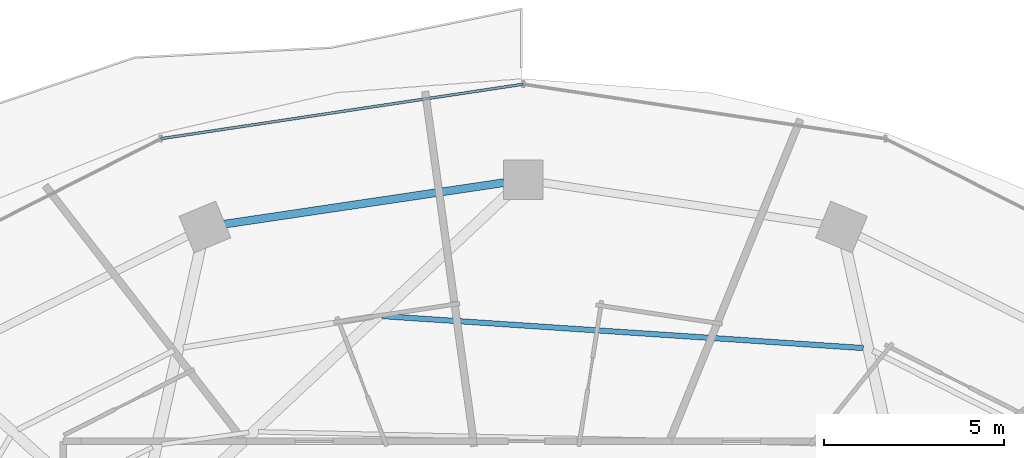
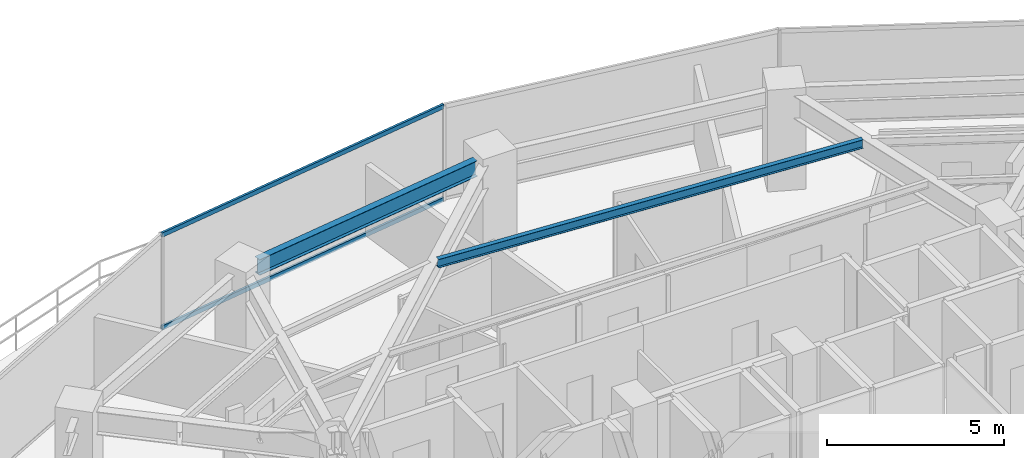
# One storey, part 17 of 30: 2 beams, 2 members, 1 element without a shape of its own.
"""IFC4 building model written with IfcOpenShell, lengths in metres."""

from ifc_helpers import new_model, si_unit, direction, frame, origin, origin_2d, place, context, subcontext, project, spatial, hollow_rectangle, i_section, extrude, material, material_profile, profile_set, type_object, element, aggregate, save


model = new_model("IFC4")

# Units and contexts
model_context = context("Model", 3, precision=1e-05, world=origin(), true_north=direction((0.0, 1.0)))
body_context = subcontext(model_context, "Body", "Model", "MODEL_VIEW")
ifc_project = project(units=[si_unit("LENGTHUNIT", "METRE"), si_unit("AREAUNIT", "SQUARE_METRE"), si_unit("VOLUMEUNIT", "CUBIC_METRE"), si_unit("PLANEANGLEUNIT", "RADIAN"), si_unit("MASSUNIT", "GRAM", prefix="KILO")], contexts=[model_context])

# Site, building, storey
site_placement = place(None, origin())
site = spatial("IfcSite", under=ifc_project, at=site_placement, CompositionType="ELEMENT")
building_placement = place(site_placement, origin())
building = spatial("IfcBuilding", under=site, at=building_placement, Name="Vorneva Point Tower", CompositionType="ELEMENT")
storey_placement = place(building_placement, frame((0.0, 0.0, 92.800048828125)))
storey = spatial("IfcBuildingStorey", under=building, at=storey_placement, Name="L24", CompositionType="ELEMENT", Elevation=92.800048828125)

# Beams
ifc_material_1 = material(Name="Steel S355", Category="steel")
ifc_material_profile_1 = material_profile(ifc_material_1, i_section(OverallWidth=0.14892578125, OverallDepth=0.298095703125, WebThickness=0.005615234375, FlangeThickness=0.008056640625, at=origin_2d()), Name="30B1")
ifc_profile_set_1 = profile_set([ifc_material_profile_1], Name="Steel S355")
beam_type_1 = type_object("IfcBeamType", Name="BM-JST-30B1", PredefinedType="JOIST", material=ifc_profile_set_1)
beam_1_placement = place(storey_placement, frame((47.425537109375, 38.53662109375, 3.091064453125), z_axis=(-0.997801151854, 0.066278664436, 0.0), x_axis=(-0.066278664436, -0.997801151854, 0.0)))
element("IfcBeam", 1, at=beam_1_placement, inside=storey, type_object=beam_type_1, Name="L24 Secondary Floor Beam 1.04", PredefinedType="JOIST", context=body_context, shape_type="SweptSolid", body=[
    extrude(i_section(OverallWidth=0.14892578125, OverallDepth=0.298095703125, WebThickness=0.005615234375, FlangeThickness=0.008056640625, at=origin_2d()), origin(), (0.0, 0.0, 1.0), 13.34912109375),
])
ifc_material_profile_2 = material_profile(ifc_material_1, i_section(OverallWidth=0.219970703125, OverallDepth=0.54296875, WebThickness=0.009521484375, FlangeThickness=0.013427734375, at=origin_2d()), Name="55B1")
ifc_profile_set_2 = profile_set([ifc_material_profile_2], Name="Steel S355")
beam_type_2 = type_object("IfcBeamType", Name="BM-SPN-55B1", PredefinedType="SPANDREL", material=ifc_profile_set_2)
beam_2_placement = place(storey_placement, frame((37.470703125, 43.121337890625, 2.968505859375), z_axis=(-0.989164507783, -0.146811363806, 0.0), x_axis=(0.146811363806, -0.989164507783, 0.0)))
element("IfcBeam", 2, at=beam_2_placement, inside=storey, type_object=beam_type_2, Name="L24 Perimeter Spandrel Ring Beam 05", PredefinedType="SPANDREL", context=body_context, shape_type="SweptSolid", body=[
    extrude(i_section(OverallWidth=0.219970703125, OverallDepth=0.54296875, WebThickness=0.009521484375, FlangeThickness=0.013427734375, at=origin_2d()), origin(), (0.0, 0.0, 1.0), 7.847412109375),
])

# Curtain wall, members
ifc_material_2 = material(Name="Pale anodised aluminium", Category="aluminium")
curtain_wall_type = type_object("IfcCurtainWallType", Name="CW-HTL-SYS", PredefinedType="NOTDEFINED", material=ifc_material_2)
curtain_wall_placement = place(storey_placement, origin())
curtain_wall = element("IfcCurtainWall", 3, at=curtain_wall_placement, inside=storey, type_object=curtain_wall_type, Name="L24 Unitised Curtain Wall CW-L24-R02", PredefinedType="NOTDEFINED")
ifc_material_profile_3 = material_profile(ifc_material_2, hollow_rectangle(XDim=0.074951171875, YDim=0.14990234375, WallThickness=0.00390625, at=origin_2d()), Name="AL-TRN 150x75x4")
ifc_profile_set_3 = profile_set([ifc_material_profile_3], Name="Pale anodised aluminium")
member_type = type_object("IfcMemberType", Name="CW-TRN-150", PredefinedType="USERDEFINED", material=ifc_profile_set_3)
member_1_placement = place(storey_placement, frame((38.0, 45.85009765625, 0.02001953125), z_axis=(-0.988875982167, -0.148742367512, 0.0), x_axis=(0.148742367512, -0.988875982167, 0.0)))
member_1 = element("IfcMember", 4, at=member_1_placement, type_object=member_type, Name="CW-L24-R02 Transom 03.1", ObjectType="TRANSOM", PredefinedType="USERDEFINED", context=body_context, shape_type="SweptSolid", body=[
    extrude(hollow_rectangle(XDim=0.074951171875, YDim=0.14990234375, WallThickness=0.00390625, at=origin_2d()), origin(), (0.0, 0.0, 1.0), 10.158447265625),
])
member_2_placement = place(storey_placement, frame((38.0, 45.85009765625, 3.219970703125), z_axis=(-0.988875982167, -0.148742367512, 0.0), x_axis=(0.148742367512, -0.988875982167, 0.0)))
member_2 = element("IfcMember", 5, at=member_2_placement, type_object=member_type, Name="CW-L24-R02 Transom 03.2", ObjectType="TRANSOM", PredefinedType="USERDEFINED", context=body_context, shape_type="SweptSolid", body=[
    extrude(hollow_rectangle(XDim=0.074951171875, YDim=0.14990234375, WallThickness=0.00390625, at=origin_2d()), origin(), (0.0, 0.0, 1.0), 10.158447265625),
])
aggregate(curtain_wall, [member_1, member_2])

save(model, "model.ifc")
